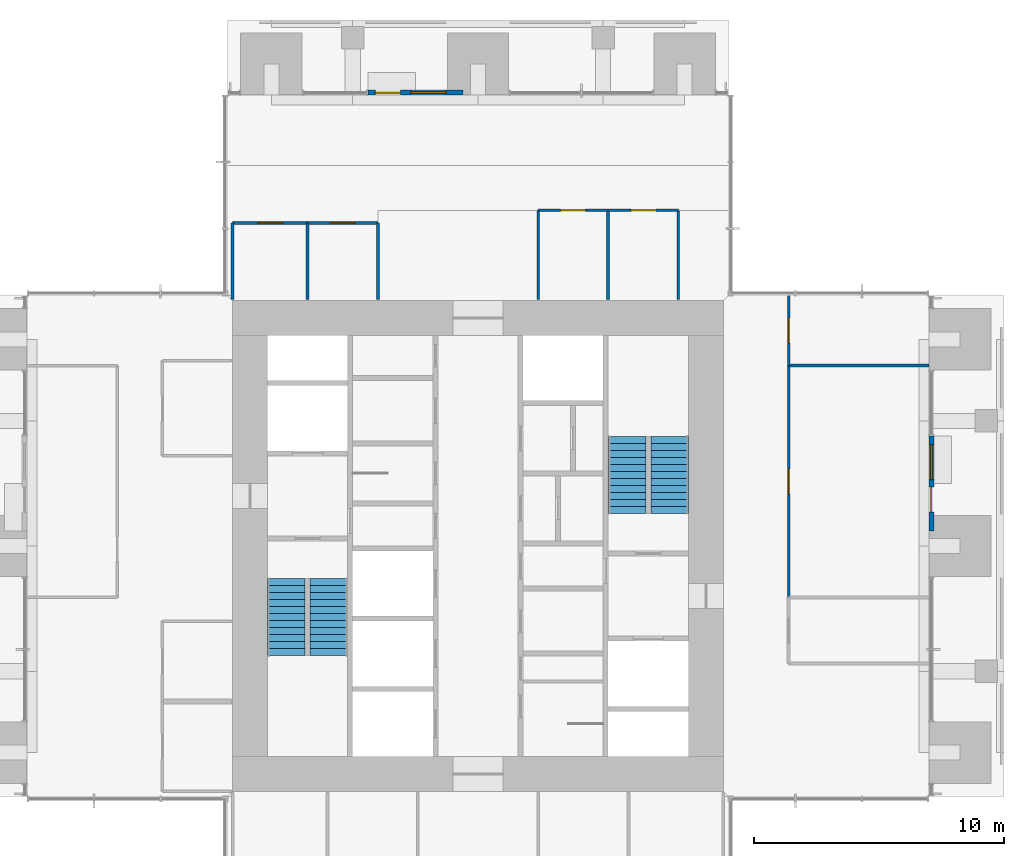
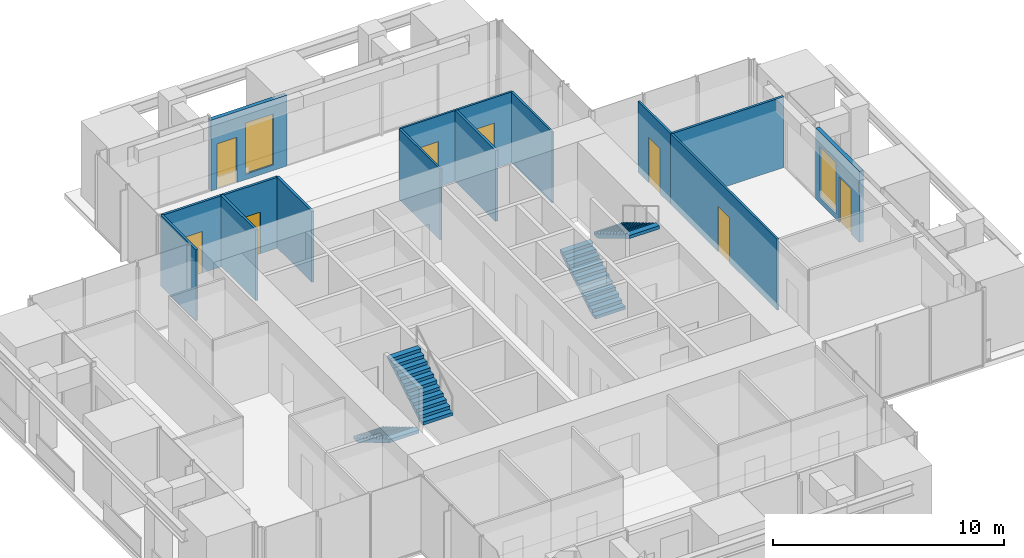
# One storey, part 14 of 17: 15 walls, 8 doors, 4 stair flights, 2 windows, 10 openings, 2 elements without a shape of their own.
"""IFC4 building model written with IfcOpenShell, lengths in metres."""

from ifc_helpers import new_model, si_unit, direction, frame, frame_2d, origin, place, context, subcontext, project, spatial, polyline, rectangle, outline, extrude, material, layer, layer_set, type_object, element, fill, aggregate, save


model = new_model("IFC4")

# Units and contexts
model_context = context("Model", 3, precision=1e-05, world=origin(), true_north=direction((0.0, 1.0)))
body_context = subcontext(model_context, "Body", "Model", "MODEL_VIEW")
ifc_project = project(units=[si_unit("LENGTHUNIT", "METRE"), si_unit("AREAUNIT", "SQUARE_METRE"), si_unit("VOLUMEUNIT", "CUBIC_METRE"), si_unit("PLANEANGLEUNIT", "RADIAN"), si_unit("MASSUNIT", "GRAM", prefix="KILO")], contexts=[model_context])

# Site, building, storey
site_placement = place(None, origin())
site = spatial("IfcSite", under=ifc_project, at=site_placement, CompositionType="ELEMENT")
building_placement = place(site_placement, origin())
building = spatial("IfcBuilding", under=site, at=building_placement, Name="Svetlomir Tower", CompositionType="ELEMENT")
storey_placement = place(building_placement, frame((0.0, 0.0, 206.5)))
storey = spatial("IfcBuildingStorey", under=building, at=storey_placement, Name="L49", CompositionType="ELEMENT", Elevation=206.5)

# Wall, openings, door, window
ifc_material_1 = material(Name="Bronze anodised aluminium glazed screen", Category="aluminium")
ifc_layer_1 = layer(ifc_material_1, 0.199951171875)
ifc_layer_set_1 = layer_set([ifc_layer_1], Name="Bronze anodised aluminium glazed screen")
wall_type_1 = type_object("IfcWallType", Name="BALCONY SCREEN WALL 200", PredefinedType="USERDEFINED", material=ifc_layer_set_1)
wall_1_placement = place(storey_placement, frame((39.10009765625, 21.60009765625, 0.0), z_axis=(0.0, 0.0, 1.0), x_axis=(0.0, 1.0, 0.0)))
wall_1 = element("IfcWall", 1, at=wall_1_placement, inside=storey, type_object=wall_type_1, Name="Balcony screen E", ObjectType="GLAZED SCREEN", PredefinedType="USERDEFINED", context=body_context, shape_type="SweptSolid", body=[
    extrude(rectangle(XDim=3.7998046875, YDim=0.199951171875, at=frame_2d((1.89990234375, 0.0))), origin(), (0.0, 0.0, 1.0), 3.75),
])
opening_1_placement = place(wall_1_placement, frame((0.75, 0.0, 0.0)))
opening_1 = element("IfcOpeningElement", 2, at=opening_1_placement, cuts=wall_1, Name="Opening BD", PredefinedType="OPENING", context=body_context, shape_type="SweptSolid", body=[
    extrude(rectangle(XDim=1.0, YDim=2.39990234375, at=frame_2d((0.5, 1.199951171875))), frame((0.0, 0.10986328125, 0.0), z_axis=(0.0, -1.0, 0.0), x_axis=(1.0, 0.0, 0.0)), (0.0, 0.0, 1.0), 0.219970703125),
])
opening_2_placement = place(wall_1_placement, frame((2.050048828125, 0.0, 0.300048828125)))
opening_2 = element("IfcOpeningElement", 3, at=opening_2_placement, cuts=wall_1, Name="Opening WS2", PredefinedType="OPENING", context=body_context, shape_type="SweptSolid", body=[
    extrude(rectangle(XDim=1.39990234375, YDim=2.699951171875, at=frame_2d((0.699951171875, 1.35009765625))), frame((0.0, 0.10986328125, 0.0), z_axis=(0.0, -1.0, 0.0), x_axis=(1.0, 0.0, 0.0)), (0.0, 0.0, 1.0), 0.219970703125),
])
ifc_material_2 = material(Name="Bronze anodised aluminium glazed door", Category="aluminium")
door_type_1 = type_object("IfcDoorType", Name="BALCONY DOOR BD 1000x2400", OperationType="SINGLE_SWING_LEFT", PredefinedType="DOOR", material=ifc_material_2)
door_1_placement = place(opening_1_placement, origin())
door_1 = element("IfcDoor", 4, at=door_1_placement, inside=storey, type_object=door_type_1, Name="Balcony screen E door", OperationType="SINGLE_SWING_LEFT", OverallHeight=2.39990234375, OverallWidth=1.0, PredefinedType="DOOR", context=body_context, shape_type="SweptSolid", body=[
    extrude(rectangle(XDim=1.0, YDim=2.39990234375, at=frame_2d((0.5, 1.199951171875))), frame((0.0, 0.02490234375, 0.0), z_axis=(0.0, -1.0, 0.0), x_axis=(1.0, 0.0, 0.0)), (0.0, 0.0, 1.0), 0.050048828125),
])
fill(opening_1, door_1)
ifc_material_3 = material(Name="Bronze anodised aluminium window", Category="aluminium")
window_type = type_object("IfcWindowType", Name="SCREEN WINDOW WS2 1400x2700", PartitioningType="SINGLE_PANEL", PredefinedType="WINDOW", material=ifc_material_3)
window_1_placement = place(opening_2_placement, origin())
window_1 = element("IfcWindow", 5, at=window_1_placement, inside=storey, type_object=window_type, Name="Balcony screen E window 1", OverallHeight=2.699951171875, OverallWidth=1.39990234375, PartitioningType="SINGLE_PANEL", PredefinedType="WINDOW", context=body_context, shape_type="SweptSolid", body=[
    extrude(rectangle(XDim=1.39990234375, YDim=2.699951171875, at=frame_2d((0.699951171875, 1.35009765625))), frame((0.0, 0.030029296875, 0.0), z_axis=(0.0, -1.0, 0.0), x_axis=(1.0, 0.0, 0.0)), (0.0, 0.0, 1.0), 0.06005859375),
])
fill(opening_2, window_1)

wall_2_placement = place(storey_placement, frame((20.39990234375, 39.10009765625, 0.0), z_axis=(0.0, 0.0, 1.0), x_axis=(-1.0, 0.0, 0.0)))
wall_2 = element("IfcWall", 6, at=wall_2_placement, inside=storey, type_object=wall_type_1, Name="Balcony screen N", ObjectType="GLAZED SCREEN", PredefinedType="USERDEFINED", context=body_context, shape_type="SweptSolid", body=[
    extrude(rectangle(XDim=3.7998046875, YDim=0.199951171875, at=frame_2d((1.89990234375, 0.0))), origin(), (0.0, 0.0, 1.0), 3.75),
])
opening_3_placement = place(wall_2_placement, frame((2.5, 0.0, 0.0)))
opening_3 = element("IfcOpeningElement", 7, at=opening_3_placement, cuts=wall_2, Name="Opening BD", PredefinedType="OPENING", context=body_context, shape_type="SweptSolid", body=[
    extrude(rectangle(XDim=1.0, YDim=2.39990234375, at=frame_2d((0.5, 1.199951171875))), frame((0.0, 0.10986328125, 0.0), z_axis=(0.0, -1.0, 0.0), x_axis=(1.0, 0.0, 0.0)), (0.0, 0.0, 1.0), 0.219970703125),
])
opening_4_placement = place(wall_2_placement, frame((0.675048828125, 0.0, 0.300048828125)))
opening_4 = element("IfcOpeningElement", 8, at=opening_4_placement, cuts=wall_2, Name="Opening WS2", PredefinedType="OPENING", context=body_context, shape_type="SweptSolid", body=[
    extrude(rectangle(XDim=1.39990234375, YDim=2.699951171875, at=frame_2d((0.699951171875, 1.35009765625))), frame((0.0, 0.10986328125, 0.0), z_axis=(0.0, -1.0, 0.0), x_axis=(1.0, 0.0, 0.0)), (0.0, 0.0, 1.0), 0.219970703125),
])
door_2_placement = place(opening_3_placement, origin())
door_2 = element("IfcDoor", 9, at=door_2_placement, inside=storey, type_object=door_type_1, Name="Balcony screen N door", OperationType="SINGLE_SWING_LEFT", OverallHeight=2.39990234375, OverallWidth=1.0, PredefinedType="DOOR", context=body_context, shape_type="SweptSolid", body=[
    extrude(rectangle(XDim=1.0, YDim=2.39990234375, at=frame_2d((0.5, 1.199951171875))), frame((0.0, 0.02490234375, 0.0), z_axis=(0.0, -1.0, 0.0), x_axis=(1.0, 0.0, 0.0)), (0.0, 0.0, 1.0), 0.050048828125),
])
fill(opening_3, door_2)
window_2_placement = place(opening_4_placement, origin())
window_2 = element("IfcWindow", 10, at=window_2_placement, inside=storey, type_object=window_type, Name="Balcony screen N window 1", OverallHeight=2.699951171875, OverallWidth=1.39990234375, PartitioningType="SINGLE_PANEL", PredefinedType="WINDOW", context=body_context, shape_type="SweptSolid", body=[
    extrude(rectangle(XDim=1.39990234375, YDim=2.699951171875, at=frame_2d((0.699951171875, 1.35009765625))), frame((0.0, 0.030029296875, 0.0), z_axis=(0.0, -1.0, 0.0), x_axis=(1.0, 0.0, 0.0)), (0.0, 0.0, 1.0), 0.06005859375),
])
fill(opening_4, window_2)

# Wall
ifc_material_4 = material(Name="Framed laminated glass partition", Category="glass")
ifc_layer_2 = layer(ifc_material_4, 0.10009765625)
ifc_layer_set_2 = layer_set([ifc_layer_2], Name="Framed laminated glass partition")
wall_type_2 = type_object("IfcWallType", Name="GLAZED PARTITION 100", PredefinedType="PARTITIONING", material=ifc_layer_set_2)
wall_3_placement = place(storey_placement, frame((23.39990234375, 30.85009765625, 0.0), z_axis=(0.0, 0.0, 1.0), x_axis=(0.0, 1.0, 0.0)))
element("IfcWall", 11, at=wall_3_placement, inside=storey, type_object=wall_type_2, Name="Glazed partition L49", PredefinedType="PARTITIONING", context=body_context, shape_type="SweptSolid", body=[
    extrude(rectangle(XDim=3.5498046875, YDim=0.10009765625, at=frame_2d((1.77490234375, 0.0))), origin(), (0.0, 0.0, 1.0), 3.75),
])

# Wall, opening, door
wall_4_placement = place(storey_placement, frame((23.39990234375, 34.39990234375, 0.0), z_axis=(0.0, 0.0, 1.0), x_axis=(1.0, 0.0, 0.0)))
wall_4 = element("IfcWall", 12, at=wall_4_placement, inside=storey, type_object=wall_type_2, Name="Glazed partition L49", PredefinedType="PARTITIONING", context=body_context, shape_type="SweptSolid", body=[
    extrude(rectangle(XDim=2.800048828125, YDim=0.10009765625, at=frame_2d((1.39990234375, 0.0))), origin(), (0.0, 0.0, 1.0), 3.75),
])
opening_5_placement = place(wall_4_placement, frame((0.89990234375, 0.0, 0.0)))
opening_5 = element("IfcOpeningElement", 13, at=opening_5_placement, cuts=wall_4, Name="Opening DG", PredefinedType="OPENING", context=body_context, shape_type="SweptSolid", body=[
    extrude(rectangle(XDim=1.0, YDim=2.39990234375, at=frame_2d((0.5, 1.199951171875))), frame((0.0, 0.06005859375, 0.0), z_axis=(0.0, -1.0, 0.0), x_axis=(1.0, 0.0, 0.0)), (0.0, 0.0, 1.0), 0.1201171875),
])
ifc_material_5 = material(Name="Framed laminated glass door", Category="glass")
door_type_2 = type_object("IfcDoorType", Name="GLAZED DOOR DG 1000x2400", OperationType="SINGLE_SWING_LEFT", PredefinedType="DOOR", material=ifc_material_5)
door_3_placement = place(opening_5_placement, origin())
door_3 = element("IfcDoor", 14, at=door_3_placement, inside=storey, type_object=door_type_2, Name="Focus room 1 door L49", OperationType="SINGLE_SWING_RIGHT", OverallHeight=2.39990234375, OverallWidth=1.0, PredefinedType="DOOR", context=body_context, shape_type="SweptSolid", body=[
    extrude(rectangle(XDim=1.0, YDim=2.39990234375, at=frame_2d((0.5, 1.199951171875))), frame((0.0, 0.02490234375, 0.0), z_axis=(0.0, -1.0, 0.0), x_axis=(1.0, 0.0, 0.0)), (0.0, 0.0, 1.0), 0.050048828125),
])
fill(opening_5, door_3)

wall_5_placement = place(storey_placement, frame((26.199951171875, 34.39990234375, 0.0), z_axis=(0.0, 0.0, 1.0), x_axis=(1.0, 0.0, 0.0)))
wall_5 = element("IfcWall", 15, at=wall_5_placement, inside=storey, type_object=wall_type_2, Name="Glazed partition L49", PredefinedType="PARTITIONING", context=body_context, shape_type="SweptSolid", body=[
    extrude(rectangle(XDim=2.800048828125, YDim=0.10009765625, at=frame_2d((1.39990234375, 0.0))), origin(), (0.0, 0.0, 1.0), 3.75),
])
opening_6_placement = place(wall_5_placement, frame((0.89990234375, 0.0, 0.0)))
opening_6 = element("IfcOpeningElement", 16, at=opening_6_placement, cuts=wall_5, Name="Opening DG", PredefinedType="OPENING", context=body_context, shape_type="SweptSolid", body=[
    extrude(rectangle(XDim=1.0, YDim=2.39990234375, at=frame_2d((0.5, 1.199951171875))), frame((0.0, 0.06005859375, 0.0), z_axis=(0.0, -1.0, 0.0), x_axis=(1.0, 0.0, 0.0)), (0.0, 0.0, 1.0), 0.1201171875),
])
door_4_placement = place(opening_6_placement, origin())
door_4 = element("IfcDoor", 17, at=door_4_placement, inside=storey, type_object=door_type_2, Name="Focus room 2 door L49", OperationType="SINGLE_SWING_LEFT", OverallHeight=2.39990234375, OverallWidth=1.0, PredefinedType="DOOR", context=body_context, shape_type="SweptSolid", body=[
    extrude(rectangle(XDim=1.0, YDim=2.39990234375, at=frame_2d((0.5, 1.199951171875))), frame((0.0, 0.02490234375, 0.0), z_axis=(0.0, -1.0, 0.0), x_axis=(1.0, 0.0, 0.0)), (0.0, 0.0, 1.0), 0.050048828125),
])
fill(opening_6, door_4)

# Wall
wall_6_placement = place(storey_placement, frame((29.0, 30.85009765625, 0.0), z_axis=(0.0, 0.0, 1.0), x_axis=(0.0, 1.0, 0.0)))
element("IfcWall", 18, at=wall_6_placement, inside=storey, type_object=wall_type_2, Name="Glazed partition L49", PredefinedType="PARTITIONING", context=body_context, shape_type="SweptSolid", body=[
    extrude(rectangle(XDim=3.5498046875, YDim=0.10009765625, at=frame_2d((1.77490234375, 0.0))), origin(), (0.0, 0.0, 1.0), 3.75),
])

# Wall, opening, door
wall_7_placement = place(storey_placement, frame((33.39990234375, 18.949951171875, 0.0), z_axis=(0.0, 0.0, 1.0), x_axis=(0.0, 1.0, 0.0)))
wall_7 = element("IfcWall", 19, at=wall_7_placement, inside=storey, type_object=wall_type_2, Name="Glazed partition L49", PredefinedType="PARTITIONING", context=body_context, shape_type="SweptSolid", body=[
    extrude(rectangle(XDim=9.25, YDim=0.10009765625, at=frame_2d((4.625, 0.0))), origin(), (0.0, 0.0, 1.0), 3.75),
])
opening_7_placement = place(wall_7_placement, frame((4.125, 0.0, 0.0)))
opening_7 = element("IfcOpeningElement", 20, at=opening_7_placement, cuts=wall_7, Name="Opening DG", PredefinedType="OPENING", context=body_context, shape_type="SweptSolid", body=[
    extrude(rectangle(XDim=1.0, YDim=2.39990234375, at=frame_2d((0.5, 1.199951171875))), frame((0.0, 0.06005859375, 0.0), z_axis=(0.0, -1.0, 0.0), x_axis=(1.0, 0.0, 0.0)), (0.0, 0.0, 1.0), 0.1201171875),
])
door_5_placement = place(opening_7_placement, origin())
door_5 = element("IfcDoor", 21, at=door_5_placement, inside=storey, type_object=door_type_2, Name="Product demo lounge door L49", OperationType="SINGLE_SWING_RIGHT", OverallHeight=2.39990234375, OverallWidth=1.0, PredefinedType="DOOR", context=body_context, shape_type="SweptSolid", body=[
    extrude(rectangle(XDim=1.0, YDim=2.39990234375, at=frame_2d((0.5, 1.199951171875))), frame((0.0, 0.02490234375, 0.0), z_axis=(0.0, -1.0, 0.0), x_axis=(1.0, 0.0, 0.0)), (0.0, 0.0, 1.0), 0.050048828125),
])
fill(opening_7, door_5)

wall_8_placement = place(storey_placement, frame((33.39990234375, 28.199951171875, 0.0), z_axis=(0.0, 0.0, 1.0), x_axis=(0.0, 1.0, 0.0)))
wall_8 = element("IfcWall", 22, at=wall_8_placement, inside=storey, type_object=wall_type_2, Name="Glazed partition L49", PredefinedType="PARTITIONING", context=body_context, shape_type="SweptSolid", body=[
    extrude(rectangle(XDim=2.800048828125, YDim=0.10009765625, at=frame_2d((1.39990234375, 0.0))), origin(), (0.0, 0.0, 1.0), 3.75),
])
opening_8_placement = place(wall_8_placement, frame((0.89990234375, 0.0, 0.0)))
opening_8 = element("IfcOpeningElement", 23, at=opening_8_placement, cuts=wall_8, Name="Opening DG", PredefinedType="OPENING", context=body_context, shape_type="SweptSolid", body=[
    extrude(rectangle(XDim=1.0, YDim=2.39990234375, at=frame_2d((0.5, 1.199951171875))), frame((0.0, 0.06005859375, 0.0), z_axis=(0.0, -1.0, 0.0), x_axis=(1.0, 0.0, 0.0)), (0.0, 0.0, 1.0), 0.1201171875),
])
door_6_placement = place(opening_8_placement, origin())
door_6 = element("IfcDoor", 24, at=door_6_placement, inside=storey, type_object=door_type_2, Name="Retrospective room, 12 seats door L49", OperationType="SINGLE_SWING_LEFT", OverallHeight=2.39990234375, OverallWidth=1.0, PredefinedType="DOOR", context=body_context, shape_type="SweptSolid", body=[
    extrude(rectangle(XDim=1.0, YDim=2.39990234375, at=frame_2d((0.5, 1.199951171875))), frame((0.0, 0.02490234375, 0.0), z_axis=(0.0, -1.0, 0.0), x_axis=(1.0, 0.0, 0.0)), (0.0, 0.0, 1.0), 0.050048828125),
])
fill(opening_8, door_6)

# Wall
ifc_material_6 = material(Name="Gypsum board on steel studs", Category="steel")
ifc_layer_3 = layer(ifc_material_6, 0.1201171875)
ifc_layer_set_3 = layer_set([ifc_layer_3], Name="Gypsum board on steel studs")
wall_type_3 = type_object("IfcWallType", Name="PARTITION 120", PredefinedType="PARTITIONING", material=ifc_layer_set_3)
wall_9_placement = place(storey_placement, frame((11.199951171875, 30.85009765625, 0.0), z_axis=(0.0, 0.0, 1.0), x_axis=(0.0, 1.0, 0.0)))
element("IfcWall", 25, at=wall_9_placement, inside=storey, type_object=wall_type_3, Name="Partition L49", PredefinedType="PARTITIONING", context=body_context, shape_type="SweptSolid", body=[
    extrude(rectangle(XDim=3.0498046875, YDim=0.1201171875, at=frame_2d((1.52490234375, 0.0))), origin(), (0.0, 0.0, 1.0), 3.75),
])

# Wall, opening, door
wall_10_placement = place(storey_placement, frame((11.199951171875, 33.89990234375, 0.0), z_axis=(0.0, 0.0, 1.0), x_axis=(1.0, 0.0, 0.0)))
wall_10 = element("IfcWall", 26, at=wall_10_placement, inside=storey, type_object=wall_type_3, Name="Partition L49", PredefinedType="PARTITIONING", context=body_context, shape_type="SweptSolid", body=[
    extrude(rectangle(XDim=3.0, YDim=0.1201171875, at=frame_2d((1.5, 0.0))), origin(), (0.0, 0.0, 1.0), 3.75),
])
opening_9_placement = place(wall_10_placement, frame((1.0, 0.0, 0.0)))
opening_9 = element("IfcOpeningElement", 27, at=opening_9_placement, cuts=wall_10, Name="Opening DR", PredefinedType="OPENING", context=body_context, shape_type="SweptSolid", body=[
    extrude(rectangle(XDim=1.0, YDim=2.199951171875, at=frame_2d((0.5, 1.10009765625))), frame((0.0, 0.070068359375, 0.0), z_axis=(0.0, -1.0, 0.0), x_axis=(1.0, 0.0, 0.0)), (0.0, 0.0, 1.0), 0.14013671875),
])
ifc_material_7 = material(Name="Timber door, glazed side light", Category="wood")
door_type_3 = type_object("IfcDoorType", Name="DOOR DR 1000x2200", OperationType="SINGLE_SWING_LEFT", PredefinedType="DOOR", material=ifc_material_7)
door_7_placement = place(opening_9_placement, origin())
door_7 = element("IfcDoor", 28, at=door_7_placement, inside=storey, type_object=door_type_3, Name="Print and copy room door L49", OperationType="SINGLE_SWING_RIGHT", OverallHeight=2.199951171875, OverallWidth=1.0, PredefinedType="DOOR", context=body_context, shape_type="SweptSolid", body=[
    extrude(rectangle(XDim=1.0, YDim=2.199951171875, at=frame_2d((0.5, 1.10009765625))), frame((0.0, 0.02490234375, 0.0), z_axis=(0.0, -1.0, 0.0), x_axis=(1.0, 0.0, 0.0)), (0.0, 0.0, 1.0), 0.050048828125),
])
fill(opening_9, door_7)

# Wall
wall_11_placement = place(storey_placement, frame((14.199951171875, 30.85009765625, 0.0), z_axis=(0.0, 0.0, 1.0), x_axis=(0.0, 1.0, 0.0)))
element("IfcWall", 29, at=wall_11_placement, inside=storey, type_object=wall_type_3, Name="Partition L49", PredefinedType="PARTITIONING", context=body_context, shape_type="SweptSolid", body=[
    extrude(rectangle(XDim=3.0498046875, YDim=0.1201171875, at=frame_2d((1.52490234375, 0.0))), origin(), (0.0, 0.0, 1.0), 3.75),
])

# Wall, opening, door
wall_12_placement = place(storey_placement, frame((14.199951171875, 33.89990234375, 0.0), z_axis=(0.0, 0.0, 1.0), x_axis=(1.0, 0.0, 0.0)))
wall_12 = element("IfcWall", 30, at=wall_12_placement, inside=storey, type_object=wall_type_3, Name="Partition L49", PredefinedType="PARTITIONING", context=body_context, shape_type="SweptSolid", body=[
    extrude(rectangle(XDim=2.800048828125, YDim=0.1201171875, at=frame_2d((1.39990234375, 0.0))), origin(), (0.0, 0.0, 1.0), 3.75),
])
opening_10_placement = place(wall_12_placement, frame((0.89990234375, 0.0, 0.0)))
opening_10 = element("IfcOpeningElement", 31, at=opening_10_placement, cuts=wall_12, Name="Opening DR", PredefinedType="OPENING", context=body_context, shape_type="SweptSolid", body=[
    extrude(rectangle(XDim=1.0, YDim=2.199951171875, at=frame_2d((0.5, 1.10009765625))), frame((0.0, 0.070068359375, 0.0), z_axis=(0.0, -1.0, 0.0), x_axis=(1.0, 0.0, 0.0)), (0.0, 0.0, 1.0), 0.14013671875),
])
door_8_placement = place(opening_10_placement, origin())
door_8 = element("IfcDoor", 32, at=door_8_placement, inside=storey, type_object=door_type_3, Name="Device store door L49", OperationType="SINGLE_SWING_LEFT", OverallHeight=2.199951171875, OverallWidth=1.0, PredefinedType="DOOR", context=body_context, shape_type="SweptSolid", body=[
    extrude(rectangle(XDim=1.0, YDim=2.199951171875, at=frame_2d((0.5, 1.10009765625))), frame((0.0, 0.02490234375, 0.0), z_axis=(0.0, -1.0, 0.0), x_axis=(1.0, 0.0, 0.0)), (0.0, 0.0, 1.0), 0.050048828125),
])
fill(opening_10, door_8)

# Walls
wall_13_placement = place(storey_placement, frame((17.0, 30.85009765625, 0.0), z_axis=(0.0, 0.0, 1.0), x_axis=(0.0, 1.0, 0.0)))
element("IfcWall", 33, at=wall_13_placement, inside=storey, type_object=wall_type_3, Name="Partition L49", PredefinedType="PARTITIONING", context=body_context, shape_type="SweptSolid", body=[
    extrude(rectangle(XDim=3.0498046875, YDim=0.1201171875, at=frame_2d((1.52490234375, 0.0))), origin(), (0.0, 0.0, 1.0), 3.75),
])
wall_14_placement = place(storey_placement, frame((26.199951171875, 30.85009765625, 0.0), z_axis=(0.0, 0.0, 1.0), x_axis=(0.0, 1.0, 0.0)))
element("IfcWall", 34, at=wall_14_placement, inside=storey, type_object=wall_type_3, Name="Partition L49", PredefinedType="PARTITIONING", context=body_context, shape_type="SweptSolid", body=[
    extrude(rectangle(XDim=3.5498046875, YDim=0.1201171875, at=frame_2d((1.77490234375, 0.0))), origin(), (0.0, 0.0, 1.0), 3.75),
])
wall_15_placement = place(storey_placement, frame((33.39990234375, 28.199951171875, 0.0), z_axis=(0.0, 0.0, 1.0), x_axis=(1.0, 0.0, 0.0)))
element("IfcWall", 35, at=wall_15_placement, inside=storey, type_object=wall_type_3, Name="Partition L49", PredefinedType="PARTITIONING", context=body_context, shape_type="SweptSolid", body=[
    extrude(rectangle(XDim=5.60009765625, YDim=0.1201171875, at=frame_2d((2.800048828125, 0.0))), origin(), (0.0, 0.0, 1.0), 3.75),
])

# Stair, stair flights
ifc_material_8 = material(Name="Concrete C60/75", Category="concrete")
stair_type = type_object("IfcStairType", Name="EXIT STAIR 3200 RISE 4000", PredefinedType="HALF_TURN_STAIR", material=ifc_material_8)
stair_1_placement = place(storey_placement, origin())
stair_1 = element("IfcStair", 36, at=stair_1_placement, inside=storey, type_object=stair_type, Name="Stair S1 L49 to L50", PredefinedType="HALF_TURN_STAIR")
ifc_material_9 = material(Name="Concrete C60/75", Category="concrete")
stair_flight_type = type_object("IfcStairFlightType", Name="STAIR FLIGHT 1500 OF 12 RISERS", PredefinedType="STRAIGHT", material=ifc_material_9)
stair_flight_1_placement = place(storey_placement, frame((13.35009765625, 19.699951171875, 0.0), z_axis=(0.0, 0.0, 1.0), x_axis=(0.0, -1.0, 0.0)))
stair_flight_1 = element("IfcStairFlight", 37, at=stair_flight_1_placement, type_object=stair_flight_type, Name="S1 flight 1", NumberOfRisers=12, NumberOfTreads=11, PredefinedType="STRAIGHT", RiserHeight=0.166666667, TreadLength=0.28, context=body_context, shape_type="SweptSolid", body=[
    extrude(outline(polyline([(0.0, 0.0), (0.0, 0.166748046875), (0.280029296875, 0.166748046875), (0.280029296875, 0.333251953125), (0.56005859375, 0.333251953125), (0.56005859375, 0.5), (0.840087890625, 0.5), (0.840087890625, 0.666748046875), (1.1201171875, 0.666748046875), (1.1201171875, 0.833251953125), (1.39990234375, 0.833251953125), (1.39990234375, 1.0), (1.679931640625, 1.0), (1.679931640625, 1.166748046875), (1.9599609375, 1.166748046875), (1.9599609375, 1.333251953125), (2.239990234375, 1.333251953125), (2.239990234375, 1.5), (2.52001953125, 1.5), (2.52001953125, 1.666748046875), (2.800048828125, 1.666748046875), (2.800048828125, 1.833251953125), (3.080078125, 1.833251953125), (3.080078125, 2.0), (3.080078125, 1.658935546875), (0.29296875, 0.0), (0.0, 0.0)])), frame((0.0, 0.75, 0.0), z_axis=(0.0, -1.0, 0.0), x_axis=(1.0, 0.0, 0.0)), (0.0, 0.0, 1.0), 1.5),
])
stair_flight_2_placement = place(storey_placement, frame((15.050048828125, 16.6201171875, 2.0), z_axis=(0.0, 0.0, 1.0), x_axis=(0.0, 1.0, 0.0)))
stair_flight_2 = element("IfcStairFlight", 38, at=stair_flight_2_placement, type_object=stair_flight_type, Name="S1 flight 2", NumberOfRisers=12, NumberOfTreads=11, PredefinedType="STRAIGHT", RiserHeight=0.166666667, TreadLength=0.28, context=body_context, shape_type="SweptSolid", body=[
    extrude(outline(polyline([(0.0, 0.0), (0.0, 0.166748046875), (0.280029296875, 0.166748046875), (0.280029296875, 0.333251953125), (0.56005859375, 0.333251953125), (0.56005859375, 0.5), (0.840087890625, 0.5), (0.840087890625, 0.666748046875), (1.1201171875, 0.666748046875), (1.1201171875, 0.833251953125), (1.39990234375, 0.833251953125), (1.39990234375, 1.0), (1.679931640625, 1.0), (1.679931640625, 1.166748046875), (1.9599609375, 1.166748046875), (1.9599609375, 1.333251953125), (2.239990234375, 1.333251953125), (2.239990234375, 1.5), (2.52001953125, 1.5), (2.52001953125, 1.666748046875), (2.800048828125, 1.666748046875), (2.800048828125, 1.833251953125), (3.080078125, 1.833251953125), (3.080078125, 2.0), (3.080078125, 1.658935546875), (0.29296875, 0.0), (0.0, 0.0)])), frame((0.0, 0.75, 0.0), z_axis=(0.0, -1.0, 0.0), x_axis=(1.0, 0.0, 0.0)), (0.0, 0.0, 1.0), 1.5),
])
aggregate(stair_1, [stair_flight_1, stair_flight_2])

stair_2_placement = place(storey_placement, origin())
stair_2 = element("IfcStair", 39, at=stair_2_placement, inside=storey, type_object=stair_type, Name="Stair S2 L49 to L50", PredefinedType="HALF_TURN_STAIR")
stair_flight_3_placement = place(storey_placement, frame((26.949951171875, 22.300048828125, 0.0), z_axis=(0.0, 0.0, 1.0), x_axis=(0.0, 1.0, 0.0)))
stair_flight_3 = element("IfcStairFlight", 40, at=stair_flight_3_placement, type_object=stair_flight_type, Name="S2 flight 1", NumberOfRisers=12, NumberOfTreads=11, PredefinedType="STRAIGHT", RiserHeight=0.166666667, TreadLength=0.28, context=body_context, shape_type="SweptSolid", body=[
    extrude(outline(polyline([(0.0, 0.0), (0.0, 0.166748046875), (0.280029296875, 0.166748046875), (0.280029296875, 0.333251953125), (0.56005859375, 0.333251953125), (0.56005859375, 0.5), (0.840087890625, 0.5), (0.840087890625, 0.666748046875), (1.1201171875, 0.666748046875), (1.1201171875, 0.833251953125), (1.39990234375, 0.833251953125), (1.39990234375, 1.0), (1.679931640625, 1.0), (1.679931640625, 1.166748046875), (1.9599609375, 1.166748046875), (1.9599609375, 1.333251953125), (2.239990234375, 1.333251953125), (2.239990234375, 1.5), (2.52001953125, 1.5), (2.52001953125, 1.666748046875), (2.800048828125, 1.666748046875), (2.800048828125, 1.833251953125), (3.080078125, 1.833251953125), (3.080078125, 2.0), (3.080078125, 1.658935546875), (0.29296875, 0.0), (0.0, 0.0)])), frame((0.0, 0.75, 0.0), z_axis=(0.0, -1.0, 0.0), x_axis=(1.0, 0.0, 0.0)), (0.0, 0.0, 1.0), 1.5),
])
stair_flight_4_placement = place(storey_placement, frame((28.64990234375, 25.3798828125, 2.0), z_axis=(0.0, 0.0, 1.0), x_axis=(0.0, -1.0, 0.0)))
stair_flight_4 = element("IfcStairFlight", 41, at=stair_flight_4_placement, type_object=stair_flight_type, Name="S2 flight 2", NumberOfRisers=12, NumberOfTreads=11, PredefinedType="STRAIGHT", RiserHeight=0.166666667, TreadLength=0.28, context=body_context, shape_type="SweptSolid", body=[
    extrude(outline(polyline([(0.0, 0.0), (0.0, 0.166748046875), (0.280029296875, 0.166748046875), (0.280029296875, 0.333251953125), (0.56005859375, 0.333251953125), (0.56005859375, 0.5), (0.840087890625, 0.5), (0.840087890625, 0.666748046875), (1.1201171875, 0.666748046875), (1.1201171875, 0.833251953125), (1.39990234375, 0.833251953125), (1.39990234375, 1.0), (1.679931640625, 1.0), (1.679931640625, 1.166748046875), (1.9599609375, 1.166748046875), (1.9599609375, 1.333251953125), (2.239990234375, 1.333251953125), (2.239990234375, 1.5), (2.52001953125, 1.5), (2.52001953125, 1.666748046875), (2.800048828125, 1.666748046875), (2.800048828125, 1.833251953125), (3.080078125, 1.833251953125), (3.080078125, 2.0), (3.080078125, 1.658935546875), (0.29296875, 0.0), (0.0, 0.0)])), frame((0.0, 0.75, 0.0), z_axis=(0.0, -1.0, 0.0), x_axis=(1.0, 0.0, 0.0)), (0.0, 0.0, 1.0), 1.5),
])
aggregate(stair_2, [stair_flight_3, stair_flight_4])

save(model, "model.ifc")
